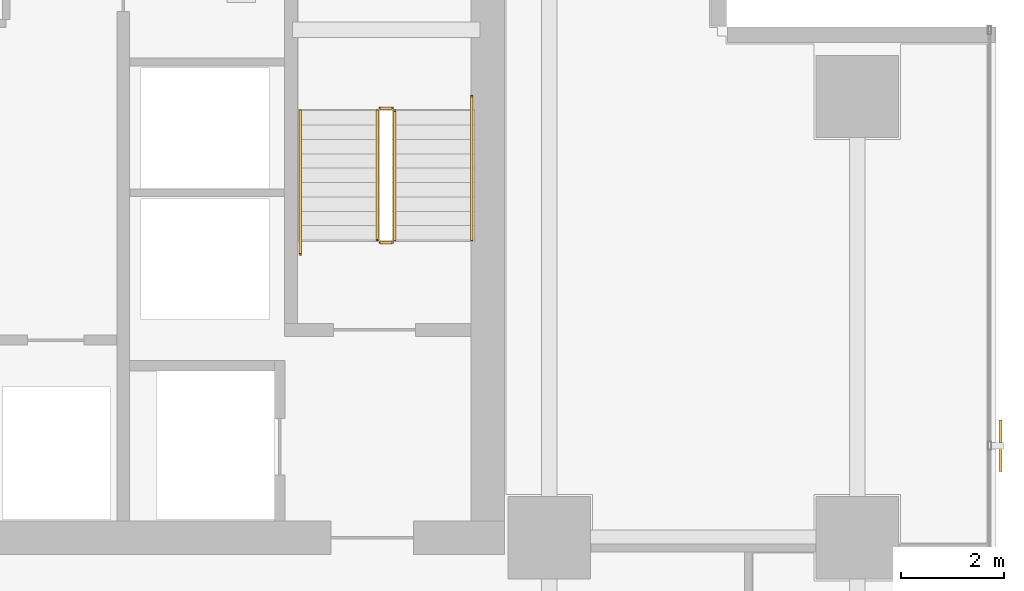
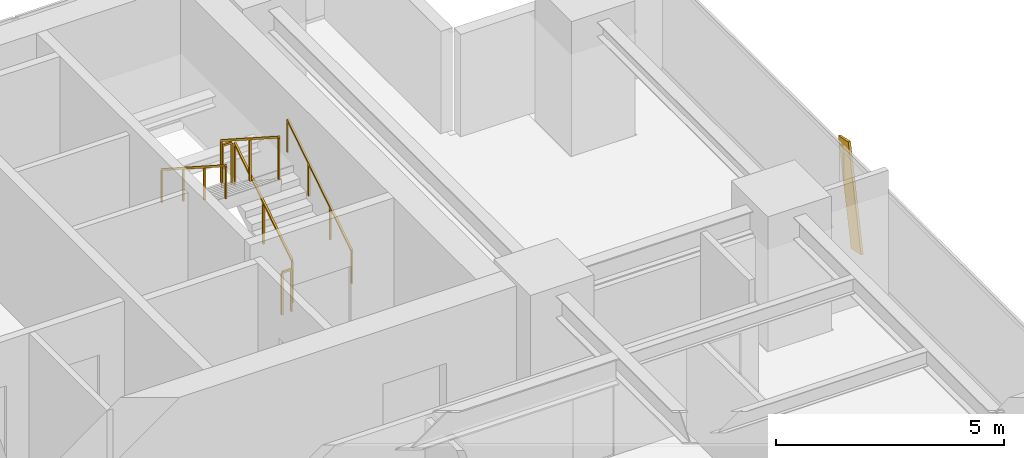
# One storey, part 36 of 37: 6 railings, 1 shading device.
"""IFC4 building model written with IfcOpenShell, lengths in metres."""

from ifc_helpers import new_model, si_unit, direction, frame, origin, origin_2d, place, context, subcontext, project, spatial, rectangle, extrude, source, transform, mapped, material, material_profile, profile_set, type_object, element, save


model = new_model("IFC4")

# Units and contexts
model_context = context("Model", 3, precision=1e-05, world=origin(), true_north=direction((0.0, 1.0)))
body_context = subcontext(model_context, "Body", "Model", "MODEL_VIEW")
ifc_project = project(units=[si_unit("LENGTHUNIT", "METRE"), si_unit("AREAUNIT", "SQUARE_METRE"), si_unit("VOLUMEUNIT", "CUBIC_METRE"), si_unit("PLANEANGLEUNIT", "RADIAN"), si_unit("MASSUNIT", "GRAM", prefix="KILO")], contexts=[model_context])

# Site, building, storey
site_placement = place(None, origin())
site = spatial("IfcSite", under=ifc_project, at=site_placement, CompositionType="ELEMENT")
building_placement = place(site_placement, origin())
building = spatial("IfcBuilding", under=site, at=building_placement, Name="Sumidabori Civic Tower", CompositionType="ELEMENT")
storey_placement = place(building_placement, frame((0.0, 0.0, 95.60009765625)))
storey = spatial("IfcBuildingStorey", under=building, at=storey_placement, Name="L24", CompositionType="ELEMENT", Elevation=95.60009765625)

# Railings
ifc_material_1 = material(Name="Stainless Steel Hairline Finish", Category="steel")
railing_type_1 = type_object("IfcRailingType", Name="RL-HANDRAIL", PredefinedType="HANDRAIL", material=ifc_material_1)
railing_1_placement = place(storey_placement, frame((15.2900390625, 16.0, 0.179931640625)))
element("IfcRailing", 1, at=railing_1_placement, inside=storey, type_object=railing_type_1, Name="L24 ST-2 stair handrail 1", PredefinedType="HANDRAIL", context=body_context, shape_type="SweptSolid", body=[
    extrude(rectangle(XDim=0.048095703125, YDim=0.048095703125, at=origin_2d()), frame((0.0, 0.0, 0.8759765625), z_axis=(0.0, 0.840675598268, 0.541539046124), x_axis=(-1.0, 0.0, 0.0)), (0.0, 0.0, 1.0), 3.330810546875),
    extrude(rectangle(XDim=0.0419921875, YDim=0.0419921875, at=origin_2d()), origin(), (0.0, 0.0, 1.0), 0.851806640625),
    extrude(rectangle(XDim=0.0419921875, YDim=0.0419921875, at=origin_2d()), frame((0.0, 0.933349609375, 0.601318359375)), (0.0, 0.0, 1.0), 0.851806640625),
    extrude(rectangle(XDim=0.0419921875, YDim=0.0419921875, at=origin_2d()), frame((0.0, 1.86669921875, 1.202392578125)), (0.0, 0.0, 1.0), 0.851806640625),
    extrude(rectangle(XDim=0.0419921875, YDim=0.0419921875, at=origin_2d()), frame((0.0, 2.800048828125, 1.8037109375)), (0.0, 0.0, 1.0), 0.851806640625),
])
railing_2_placement = place(storey_placement, frame((11.949951171875, 18.52001953125, 1.97998046875)))
element("IfcRailing", 2, at=railing_2_placement, inside=storey, type_object=railing_type_1, Name="L24 ST-2 stair handrail 2", PredefinedType="HANDRAIL", context=body_context, shape_type="SweptSolid", body=[
    extrude(rectangle(XDim=0.048095703125, YDim=0.048095703125, at=origin_2d()), frame((0.0, 0.0, 0.8759765625), z_axis=(0.0, -0.840675598268, 0.541539046124), x_axis=(1.0, 0.0, 0.0)), (0.0, 0.0, 1.0), 3.330810546875),
    extrude(rectangle(XDim=0.0419921875, YDim=0.0419921875, at=origin_2d()), origin(), (0.0, 0.0, 1.0), 0.851806640625),
    extrude(rectangle(XDim=0.0419921875, YDim=0.0419921875, at=origin_2d()), frame((0.0, -0.933349609375, 0.601318359375)), (0.0, 0.0, 1.0), 0.851806640625),
    extrude(rectangle(XDim=0.0419921875, YDim=0.0419921875, at=origin_2d()), frame((0.0, -1.86669921875, 1.202392578125)), (0.0, 0.0, 1.0), 0.851806640625),
    extrude(rectangle(XDim=0.0419921875, YDim=0.0419921875, at=origin_2d()), frame((0.0, -2.800048828125, 1.8037109375)), (0.0, 0.0, 1.0), 0.851806640625),
])
ifc_material_2 = material(Name="Steel SN490", Category="steel")
railing_type_2 = type_object("IfcRailingType", Name="RL-STAIR-GUARD", PredefinedType="GUARDRAIL", material=ifc_material_2)
railing_3_placement = place(storey_placement, frame((13.7900390625, 16.0, 0.179931640625)))
element("IfcRailing", 3, at=railing_3_placement, inside=storey, type_object=railing_type_2, Name="L24 ST-2 stair guard 1", PredefinedType="GUARDRAIL", context=body_context, shape_type="SweptSolid", body=[
    extrude(rectangle(XDim=0.048095703125, YDim=0.048095703125, at=origin_2d()), frame((0.0, 0.0, 1.1259765625), z_axis=(0.0, 0.841199657755, 0.540724639528), x_axis=(-1.0, 0.0, 0.0)), (0.0, 0.0, 1.0), 2.995849609375),
    extrude(rectangle(XDim=0.0419921875, YDim=0.0419921875, at=origin_2d()), origin(), (0.0, 0.0, 1.0), 1.101806640625),
    extrude(rectangle(XDim=0.0419921875, YDim=0.0419921875, at=origin_2d()), frame((0.0, 1.260009765625, 0.81005859375)), (0.0, 0.0, 1.0), 1.101806640625),
    extrude(rectangle(XDim=0.0419921875, YDim=0.0419921875, at=origin_2d()), frame((0.0, 2.52001953125, 1.619873046875)), (0.0, 0.0, 1.0), 1.101806640625),
])
railing_4_placement = place(storey_placement, frame((13.739990234375, 18.570068359375, 1.7998046875)))
element("IfcRailing", 4, at=railing_4_placement, inside=storey, type_object=railing_type_2, Name="L24 ST-2 stair guard 2", PredefinedType="GUARDRAIL", context=body_context, shape_type="SweptSolid", body=[
    extrude(rectangle(XDim=0.048095703125, YDim=0.048095703125, at=origin_2d()), frame((0.0, 0.0, 1.1259765625), z_axis=(-1.0, 0.0, 0.0), x_axis=(0.0, -1.0, 0.0)), (0.0, 0.0, 1.0), 0.239990234375),
    extrude(rectangle(XDim=0.0419921875, YDim=0.0419921875, at=origin_2d()), origin(), (0.0, 0.0, 1.0), 1.101806640625),
    extrude(rectangle(XDim=0.0419921875, YDim=0.0419921875, at=origin_2d()), frame((-0.239990234375, 0.0, 0.0)), (0.0, 0.0, 1.0), 1.101806640625),
])
railing_5_placement = place(storey_placement, frame((13.449951171875, 18.52001953125, 1.97998046875)))
element("IfcRailing", 5, at=railing_5_placement, inside=storey, type_object=railing_type_2, Name="L24 ST-2 stair guard 3", PredefinedType="GUARDRAIL", context=body_context, shape_type="SweptSolid", body=[
    extrude(rectangle(XDim=0.048095703125, YDim=0.048095703125, at=origin_2d()), frame((0.0, 0.0, 1.1259765625), z_axis=(0.0, -0.841199657755, 0.540724639528), x_axis=(1.0, 0.0, 0.0)), (0.0, 0.0, 1.0), 2.995849609375),
    extrude(rectangle(XDim=0.0419921875, YDim=0.0419921875, at=origin_2d()), origin(), (0.0, 0.0, 1.0), 1.101806640625),
    extrude(rectangle(XDim=0.0419921875, YDim=0.0419921875, at=origin_2d()), frame((0.0, -1.260009765625, 0.81005859375)), (0.0, 0.0, 1.0), 1.101806640625),
    extrude(rectangle(XDim=0.0419921875, YDim=0.0419921875, at=origin_2d()), frame((0.0, -2.52001953125, 1.619873046875)), (0.0, 0.0, 1.0), 1.101806640625),
])
railing_6_placement = place(storey_placement, frame((13.739990234375, 15.949951171875, 0.0)))
element("IfcRailing", 6, at=railing_6_placement, inside=storey, type_object=railing_type_2, Name="L24 ST-2 stair guard 4", PredefinedType="GUARDRAIL", context=body_context, shape_type="SweptSolid", body=[
    extrude(rectangle(XDim=0.048095703125, YDim=0.048095703125, at=origin_2d()), frame((0.0, 0.0, 1.1259765625), z_axis=(-1.0, 0.0, 0.0), x_axis=(0.0, -1.0, 0.0)), (0.0, 0.0, 1.0), 0.239990234375),
    extrude(rectangle(XDim=0.0419921875, YDim=0.0419921875, at=origin_2d()), origin(), (0.0, 0.0, 1.0), 1.101806640625),
    extrude(rectangle(XDim=0.0419921875, YDim=0.0419921875, at=origin_2d()), frame((-0.239990234375, 0.0, 0.0)), (0.0, 0.0, 1.0), 1.101806640625),
])

# Shading device
ifc_material_3 = material(Name="Anodised Bronze Aluminium AW-6063-T6", Category="aluminium")
ifc_material_profile = material_profile(ifc_material_3, rectangle(XDim=0.06005859375, YDim=0.449951171875, at=origin_2d()), Name="BRONZE FIN 450x60")
ifc_profile_set = profile_set([ifc_material_profile], Name="Anodised Bronze Aluminium AW-6063-T6")
shading_device_type = type_object("IfcShadingDeviceType", Name="SH-FIN-450", PredefinedType="USERDEFINED", material=ifc_profile_set)
shared_shape = source(origin(), body_context, "Body", "SweptSolid", [
    extrude(rectangle(XDim=0.06005859375, YDim=0.449951171875, at=origin_2d()), origin(), (0.0, 0.0, 1.0), 2.73779296875),
])
shading_device_placement = place(storey_placement, frame((25.590087890625, 11.7119140625, 0.02001953125), z_axis=(0.0, 0.204563143937, 0.978853370093), x_axis=(-1.0, 0.0, 0.0)))
element("IfcShadingDevice", 7, at=shading_device_placement, inside=storey, type_object=shading_device_type, Name="Bronze Anodised Diagonal Fin L24-04", ObjectType="FIN", PredefinedType="USERDEFINED", context=body_context, shape_type="MappedRepresentation", body=[
    mapped(shared_shape, transform((0.0, 0.0, 0.0), x_axis=(1.0, 0.0, 0.0), y_axis=(0.0, 1.0, 0.0), z_axis=(0.0, 0.0, 1.0), scale=1.0)),
])

save(model, "model.ifc")
